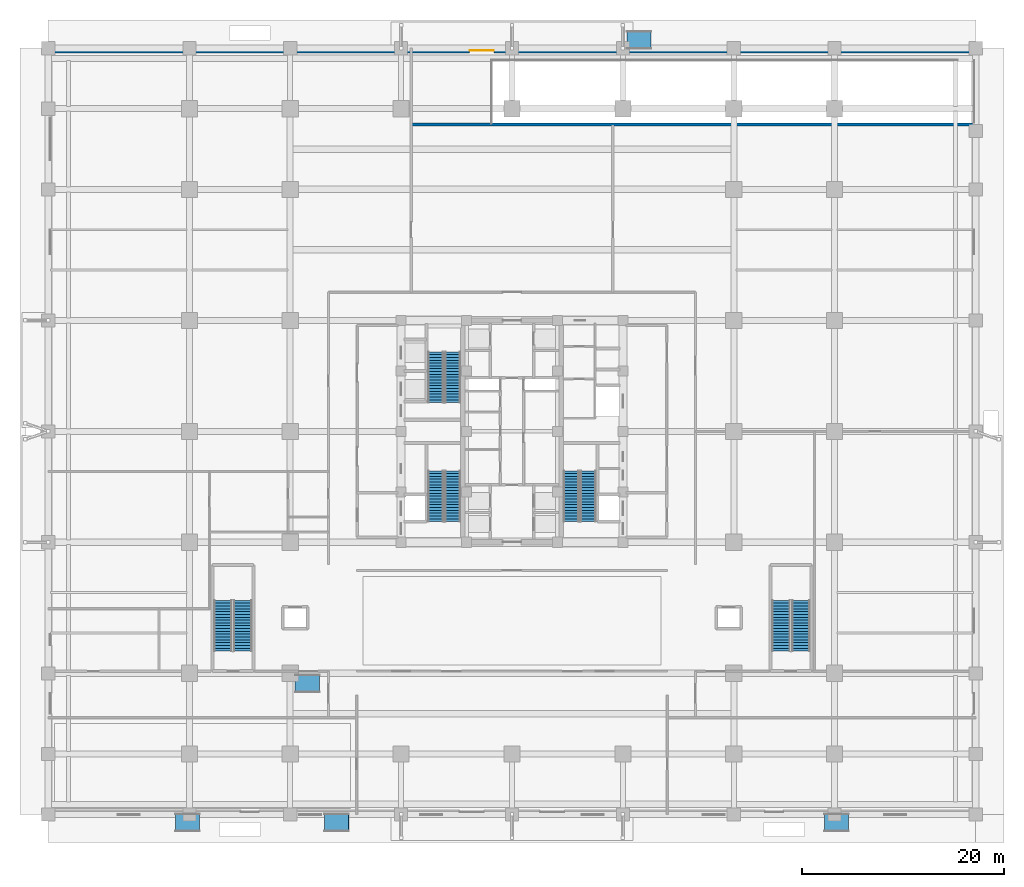
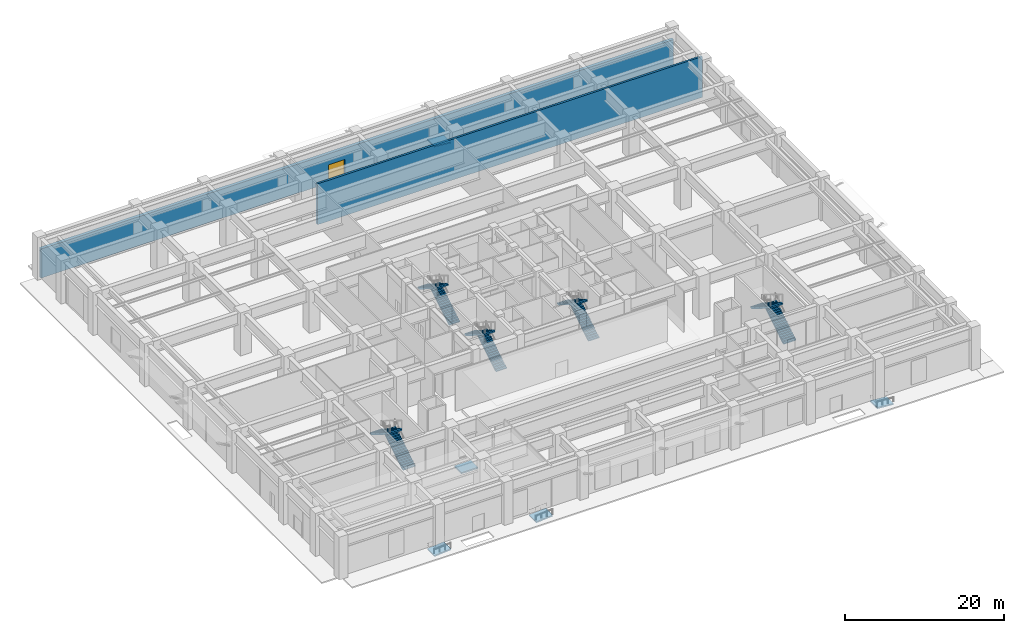
# One storey, part 13 of 21: 10 stair flights, 5 ramp flights, 2 walls, 1 door, 1 opening, 10 elements without a shape of their own.
"""IFC4 building model written with IfcOpenShell, lengths in metres."""

from ifc_helpers import new_model, si_unit, direction, frame, frame_2d, origin, place, context, subcontext, project, spatial, polyline, rectangle, outline, extrude, source, transform, mapped, material, layer, layer_set, type_object, element, fill, aggregate, save


model = new_model("IFC4")

# Units and contexts
model_context = context("Model", 3, precision=1e-05, world=origin(), true_north=direction((0.0, 1.0)))
body_context = subcontext(model_context, "Body", "Model", "MODEL_VIEW")
ifc_project = project(units=[si_unit("LENGTHUNIT", "METRE"), si_unit("AREAUNIT", "SQUARE_METRE"), si_unit("VOLUMEUNIT", "CUBIC_METRE"), si_unit("PLANEANGLEUNIT", "RADIAN"), si_unit("MASSUNIT", "GRAM", prefix="KILO")], contexts=[model_context])

# Site, building, storey
site_placement = place(None, origin())
site = spatial("IfcSite", under=ifc_project, at=site_placement, CompositionType="ELEMENT")
building_placement = place(site_placement, origin())
building = spatial("IfcBuilding", under=site, at=building_placement, Name="Khorayat Bourse Tower", CompositionType="ELEMENT")
storey_placement = place(building_placement, origin())
storey = spatial("IfcBuildingStorey", under=building, at=storey_placement, Name="L00", CompositionType="ELEMENT", Elevation=0.0)

# Wall, opening, door
ifc_material_1 = material(Name="Omani desert limestone masonry", Category="masonry")
ifc_layer_1 = layer(ifc_material_1, 0.449951171875)
ifc_layer_set_1 = layer_set([ifc_layer_1], Name="Omani desert limestone masonry")
wall_type_1 = type_object("IfcWallType", Name="WAL-EXT-IWAN-450", PredefinedType="STANDARD", material=ifc_layer_set_1)
shared_shape_1 = source(origin(), body_context, "Body", "SweptSolid", [
    extrude(rectangle(XDim=92.0, YDim=0.449951171875, at=frame_2d((46.0, 0.0))), origin(), (0.0, 0.0, 1.0), 4.47998046875),
])
wall_1_placement = place(storey_placement, frame((-46.0, 37.77490234375, 0.0), z_axis=(0.0, 0.0, 1.0), x_axis=(1.0, 0.0, 0.0)))
wall_1 = element("IfcWall", 1, at=wall_1_placement, inside=storey, type_object=wall_type_1, Name="L00 Exterior Limestone Wall WAL-L00-EXT-NF", PredefinedType="STANDARD", context=body_context, shape_type="MappedRepresentation", body=[
    mapped(shared_shape_1, transform((0.0, 0.0, 0.0), scale=1.0)),
])
shared_shape_2 = source(origin(), body_context, "Body", "SweptSolid", [
    extrude(rectangle(XDim=2.39990234375, YDim=2.800048828125, at=frame_2d((1.199951171875, 1.39990234375))), frame((0.0, 0.23486328125, 0.0), z_axis=(0.0, -1.0, 0.0), x_axis=(1.0, 0.0, 0.0)), (0.0, 0.0, 1.0), 0.469970703125),
])
opening_placement = place(wall_1_placement, frame((41.800048828125, 0.0, 0.0)))
opening = element("IfcOpeningElement", 2, at=opening_placement, cuts=wall_1, Name="Opening DE-01", PredefinedType="OPENING", context=body_context, shape_type="MappedRepresentation", body=[
    mapped(shared_shape_2, transform((0.0, 0.0, 0.0), scale=1.0)),
])
ifc_material_2 = material(Name="Anodised bronze aluminium and laminated glass", Category="aluminium")
door_type = type_object("IfcDoorType", Name="DR-EXT-IWAN-2400", OperationType="NOTDEFINED", PredefinedType="DOOR", material=ifc_material_2)
shared_shape_3 = source(origin(), body_context, "Body", "SweptSolid", [
    extrude(rectangle(XDim=2.39990234375, YDim=2.800048828125, at=frame_2d((1.199951171875, 1.39990234375))), frame((0.0, 0.02490234375, 0.0), z_axis=(0.0, -1.0, 0.0), x_axis=(1.0, 0.0, 0.0)), (0.0, 0.0, 1.0), 0.050048828125),
])
door_placement = place(opening_placement, origin())
door = element("IfcDoor", 3, at=door_placement, inside=storey, type_object=door_type, Name="L00 North Drop-Off Entrance Door", OperationType="DOUBLE_DOOR_SINGLE_SWING", OverallHeight=2.800048828125, OverallWidth=2.39990234375, PredefinedType="DOOR", context=body_context, shape_type="MappedRepresentation", body=[
    mapped(shared_shape_3, transform((0.0, 0.0, 0.0), scale=1.0)),
])
fill(opening, door)

# Wall
ifc_material_3 = material(Name="Concrete C50/60", Category="concrete")
ifc_layer_2 = layer(ifc_material_3, 0.300048828125)
ifc_layer_set_2 = layer_set([ifc_layer_2], Name="Concrete C50/60")
wall_type_2 = type_object("IfcWallType", Name="WAL-SHAFT-300", PredefinedType="SHEAR", material=ifc_layer_set_2)
shared_shape_4 = source(origin(), body_context, "Body", "SweptSolid", [
    extrude(rectangle(XDim=56.0, YDim=0.300048828125, at=frame_2d((28.0, 0.0))), origin(), (0.0, 0.0, 1.0), 6.280029296875),
])
wall_2_placement = place(storey_placement, frame((-10.0, 30.449951171875, 0.0), z_axis=(0.0, 0.0, 1.0), x_axis=(1.0, 0.0, 0.0)))
element("IfcWall", 4, at=wall_2_placement, inside=storey, type_object=wall_type_2, Name="L00 Partition WAL-L00-RAMP-S", PredefinedType="SHEAR", context=body_context, shape_type="MappedRepresentation", body=[
    mapped(shared_shape_4, transform((0.0, 0.0, 0.0), scale=1.0)),
])

# Stair, stair flights
ifc_material_4 = material(Name="Concrete C40/50", Category="concrete")
stair_type_1 = type_object("IfcStairType", Name="STR-CORE-1550", PredefinedType="HALF_TURN_STAIR", material=ifc_material_4)
stair_1_placement = place(storey_placement, origin())
stair_1 = element("IfcStair", 5, at=stair_1_placement, inside=storey, type_object=stair_type_1, Name="L00 Exit Stair ST-1", PredefinedType="HALF_TURN_STAIR")
stair_flight_type_1 = type_object("IfcStairFlightType", Name="FLT-CORE-1550", PredefinedType="STRAIGHT", material=ifc_material_4)
shared_shape_5 = source(origin(), body_context, "Body", "SweptSolid", [
    extrude(outline(polyline([(0.0, 0.0), (0.0, 0.173583984375), (0.280029296875, 0.173583984375), (0.280029296875, 0.347412109375), (0.56005859375, 0.347412109375), (0.56005859375, 0.52099609375), (0.840087890625, 0.52099609375), (0.840087890625, 0.69482421875), (1.1201171875, 0.69482421875), (1.1201171875, 0.868408203125), (1.39990234375, 0.868408203125), (1.39990234375, 1.0419921875), (1.679931640625, 1.0419921875), (1.679931640625, 1.2158203125), (1.9599609375, 1.2158203125), (1.9599609375, 1.389404296875), (2.239990234375, 1.389404296875), (2.239990234375, 1.563232421875), (2.52001953125, 1.563232421875), (2.52001953125, 1.73681640625), (2.800048828125, 1.73681640625), (2.800048828125, 1.91064453125), (3.080078125, 1.91064453125), (3.080078125, 2.084228515625), (3.360107421875, 2.084228515625), (3.360107421875, 2.2578125), (3.639892578125, 2.2578125), (3.639892578125, 2.431640625), (3.919921875, 2.431640625), (3.919921875, 2.605224609375), (4.199951171875, 2.605224609375), (4.199951171875, 2.779052734375), (4.47998046875, 2.779052734375), (4.47998046875, 2.95263671875), (4.760009765625, 2.95263671875), (4.760009765625, 3.126220703125), (5.0400390625, 3.126220703125), (5.0400390625, 3.300048828125), (5.0400390625, 2.91455078125), (0.34130859375, 0.0), (0.0, 0.0)])), frame((0.0, 0.77490234375, 0.0), z_axis=(0.0, -1.0, 0.0), x_axis=(1.0, 0.0, 0.0)), (0.0, 0.0, 1.0), 1.550048828125),
])
stair_flight_1_placement = place(storey_placement, frame((-5.875, -8.949951171875, 0.0), z_axis=(0.0, 0.0, 1.0), x_axis=(0.0, 1.0, 0.0)))
stair_flight_1 = element("IfcStairFlight", 6, at=stair_flight_1_placement, type_object=stair_flight_type_1, Name="ST-1 flight 1", NumberOfRisers=19, NumberOfTreads=18, PredefinedType="STRAIGHT", RiserHeight=0.173684211, TreadLength=0.28, context=body_context, shape_type="MappedRepresentation", body=[
    mapped(shared_shape_5, transform((0.0, 0.0, 0.0), scale=1.0)),
])
stair_flight_2_placement = place(storey_placement, frame((-7.574951171875, -3.909912109375, 3.300048828125), z_axis=(0.0, 0.0, 1.0), x_axis=(0.0, -1.0, 0.0)))
stair_flight_2 = element("IfcStairFlight", 7, at=stair_flight_2_placement, type_object=stair_flight_type_1, Name="ST-1 flight 2", NumberOfRisers=19, NumberOfTreads=18, PredefinedType="STRAIGHT", RiserHeight=0.173684211, TreadLength=0.28, context=body_context, shape_type="MappedRepresentation", body=[
    mapped(shared_shape_5, transform((0.0, 0.0, 0.0), scale=1.0)),
])
aggregate(stair_1, [stair_flight_1, stair_flight_2])

stair_2_placement = place(storey_placement, origin())
stair_2 = element("IfcStair", 8, at=stair_2_placement, inside=storey, type_object=stair_type_1, Name="L00 Exit Stair ST-2", PredefinedType="HALF_TURN_STAIR")
stair_flight_3_placement = place(storey_placement, frame((-5.875, 2.85009765625, 0.0), z_axis=(0.0, 0.0, 1.0), x_axis=(0.0, 1.0, 0.0)))
stair_flight_3 = element("IfcStairFlight", 9, at=stair_flight_3_placement, type_object=stair_flight_type_1, Name="ST-2 flight 1", NumberOfRisers=19, NumberOfTreads=18, PredefinedType="STRAIGHT", RiserHeight=0.173684211, TreadLength=0.28, context=body_context, shape_type="MappedRepresentation", body=[
    mapped(shared_shape_5, transform((0.0, 0.0, 0.0), scale=1.0)),
])
stair_flight_4_placement = place(storey_placement, frame((-7.574951171875, 7.889892578125, 3.300048828125), z_axis=(0.0, 0.0, 1.0), x_axis=(0.0, -1.0, 0.0)))
stair_flight_4 = element("IfcStairFlight", 10, at=stair_flight_4_placement, type_object=stair_flight_type_1, Name="ST-2 flight 2", NumberOfRisers=19, NumberOfTreads=18, PredefinedType="STRAIGHT", RiserHeight=0.173684211, TreadLength=0.28, context=body_context, shape_type="MappedRepresentation", body=[
    mapped(shared_shape_5, transform((0.0, 0.0, 0.0), scale=1.0)),
])
aggregate(stair_2, [stair_flight_3, stair_flight_4])

stair_3_placement = place(storey_placement, origin())
stair_3 = element("IfcStair", 11, at=stair_3_placement, inside=storey, type_object=stair_type_1, Name="L00 Exit Stair ST-3", PredefinedType="HALF_TURN_STAIR")
stair_flight_5_placement = place(storey_placement, frame((7.574951171875, -8.949951171875, 0.0), z_axis=(0.0, 0.0, 1.0), x_axis=(0.0, 1.0, 0.0)))
stair_flight_5 = element("IfcStairFlight", 12, at=stair_flight_5_placement, type_object=stair_flight_type_1, Name="ST-3 flight 1", NumberOfRisers=19, NumberOfTreads=18, PredefinedType="STRAIGHT", RiserHeight=0.173684211, TreadLength=0.28, context=body_context, shape_type="MappedRepresentation", body=[
    mapped(shared_shape_5, transform((0.0, 0.0, 0.0), scale=1.0)),
])
stair_flight_6_placement = place(storey_placement, frame((5.875, -3.909912109375, 3.300048828125), z_axis=(0.0, 0.0, 1.0), x_axis=(0.0, -1.0, 0.0)))
stair_flight_6 = element("IfcStairFlight", 13, at=stair_flight_6_placement, type_object=stair_flight_type_1, Name="ST-3 flight 2", NumberOfRisers=19, NumberOfTreads=18, PredefinedType="STRAIGHT", RiserHeight=0.173684211, TreadLength=0.28, context=body_context, shape_type="MappedRepresentation", body=[
    mapped(shared_shape_5, transform((0.0, 0.0, 0.0), scale=1.0)),
])
aggregate(stair_3, [stair_flight_5, stair_flight_6])

stair_type_2 = type_object("IfcStairType", Name="STR-POD-1800", PredefinedType="HALF_TURN_STAIR", material=ifc_material_4)
stair_4_placement = place(storey_placement, origin())
stair_4 = element("IfcStair", 14, at=stair_4_placement, inside=storey, type_object=stair_type_2, Name="L00 Exit Stair ST-P1", PredefinedType="HALF_TURN_STAIR")
stair_flight_type_2 = type_object("IfcStairFlightType", Name="FLT-POD-1800", PredefinedType="STRAIGHT", material=ifc_material_4)
shared_shape_6 = source(origin(), body_context, "Body", "SweptSolid", [
    extrude(outline(polyline([(0.0, 0.0), (0.0, 0.173583984375), (0.280029296875, 0.173583984375), (0.280029296875, 0.347412109375), (0.56005859375, 0.347412109375), (0.56005859375, 0.52099609375), (0.840087890625, 0.52099609375), (0.840087890625, 0.69482421875), (1.1201171875, 0.69482421875), (1.1201171875, 0.868408203125), (1.39990234375, 0.868408203125), (1.39990234375, 1.0419921875), (1.679931640625, 1.0419921875), (1.679931640625, 1.2158203125), (1.9599609375, 1.2158203125), (1.9599609375, 1.389404296875), (2.239990234375, 1.389404296875), (2.239990234375, 1.563232421875), (2.52001953125, 1.563232421875), (2.52001953125, 1.73681640625), (2.800048828125, 1.73681640625), (2.800048828125, 1.91064453125), (3.080078125, 1.91064453125), (3.080078125, 2.084228515625), (3.360107421875, 2.084228515625), (3.360107421875, 2.2578125), (3.639892578125, 2.2578125), (3.639892578125, 2.431640625), (3.919921875, 2.431640625), (3.919921875, 2.605224609375), (4.199951171875, 2.605224609375), (4.199951171875, 2.779052734375), (4.47998046875, 2.779052734375), (4.47998046875, 2.95263671875), (4.760009765625, 2.95263671875), (4.760009765625, 3.126220703125), (5.0400390625, 3.126220703125), (5.0400390625, 3.300048828125), (5.0400390625, 2.89111328125), (0.37939453125, 0.0), (0.0, 0.0)])), frame((0.0, 0.89990234375, 0.0), z_axis=(0.0, -1.0, 0.0), x_axis=(1.0, 0.0, 0.0)), (0.0, 0.0, 1.0), 1.800048828125),
])
stair_flight_7_placement = place(storey_placement, frame((-26.699951171875, -21.800048828125, 0.0), z_axis=(0.0, 0.0, 1.0), x_axis=(0.0, 1.0, 0.0)))
stair_flight_7 = element("IfcStairFlight", 15, at=stair_flight_7_placement, type_object=stair_flight_type_2, Name="ST-P1 flight 1", NumberOfRisers=19, NumberOfTreads=18, PredefinedType="STRAIGHT", RiserHeight=0.173684211, TreadLength=0.28, context=body_context, shape_type="MappedRepresentation", body=[
    mapped(shared_shape_6, transform((0.0, 0.0, 0.0), scale=1.0)),
])
stair_flight_8_placement = place(storey_placement, frame((-28.64990234375, -16.760009765625, 3.300048828125), z_axis=(0.0, 0.0, 1.0), x_axis=(0.0, -1.0, 0.0)))
stair_flight_8 = element("IfcStairFlight", 16, at=stair_flight_8_placement, type_object=stair_flight_type_2, Name="ST-P1 flight 2", NumberOfRisers=19, NumberOfTreads=18, PredefinedType="STRAIGHT", RiserHeight=0.173684211, TreadLength=0.28, context=body_context, shape_type="MappedRepresentation", body=[
    mapped(shared_shape_6, transform((0.0, 0.0, 0.0), scale=1.0)),
])
aggregate(stair_4, [stair_flight_7, stair_flight_8])

stair_5_placement = place(storey_placement, origin())
stair_5 = element("IfcStair", 17, at=stair_5_placement, inside=storey, type_object=stair_type_2, Name="L00 Exit Stair ST-P2", PredefinedType="HALF_TURN_STAIR")
stair_flight_9_placement = place(storey_placement, frame((28.64990234375, -21.800048828125, 0.0), z_axis=(0.0, 0.0, 1.0), x_axis=(0.0, 1.0, 0.0)))
stair_flight_9 = element("IfcStairFlight", 18, at=stair_flight_9_placement, type_object=stair_flight_type_2, Name="ST-P2 flight 1", NumberOfRisers=19, NumberOfTreads=18, PredefinedType="STRAIGHT", RiserHeight=0.173684211, TreadLength=0.28, context=body_context, shape_type="MappedRepresentation", body=[
    mapped(shared_shape_6, transform((0.0, 0.0, 0.0), scale=1.0)),
])
stair_flight_10_placement = place(storey_placement, frame((26.699951171875, -16.760009765625, 3.300048828125), z_axis=(0.0, 0.0, 1.0), x_axis=(0.0, -1.0, 0.0)))
stair_flight_10 = element("IfcStairFlight", 19, at=stair_flight_10_placement, type_object=stair_flight_type_2, Name="ST-P2 flight 2", NumberOfRisers=19, NumberOfTreads=18, PredefinedType="STRAIGHT", RiserHeight=0.173684211, TreadLength=0.28, context=body_context, shape_type="MappedRepresentation", body=[
    mapped(shared_shape_6, transform((0.0, 0.0, 0.0), scale=1.0)),
])
aggregate(stair_5, [stair_flight_9, stair_flight_10])

# Ramp, ramp flight
ramp_type = type_object("IfcRampType", Name="RMP-PED-1800", PredefinedType="STRAIGHT_RUN_RAMP", material=ifc_material_4)
ramp_1_placement = place(storey_placement, origin())
ramp_1 = element("IfcRamp", 20, at=ramp_1_placement, inside=storey, type_object=ramp_type, Name="South Forecourt Accessible Ramp", PredefinedType="STRAIGHT_RUN_RAMP")
ifc_layer_3 = layer(ifc_material_4, 0.199951171875)
ifc_layer_set_3 = layer_set([ifc_layer_3], Name="Concrete C40/50")
ramp_flight_type = type_object("IfcRampFlightType", Name="RFL-PED-1800", PredefinedType="STRAIGHT", material=ifc_layer_set_3)
ramp_flight_1_placement = place(storey_placement, frame((-18.60009765625, -39.699951171875, -0.199951171875), z_axis=(-0.083020312624, 0.0, 0.996547855194), x_axis=(0.996547855194, 0.0, 0.083020312624)))
ramp_flight_1 = element("IfcRampFlight", 21, at=ramp_flight_1_placement, type_object=ramp_flight_type, Name="South Forecourt Accessible Ramp Flight", PredefinedType="STRAIGHT", context=body_context, shape_type="SweptSolid", body=[
    extrude(outline(polyline([(0.0, 0.0), (2.4084608399539857, 0.0), (2.4084608399539857, 1.8000488281250004), (0.0, 1.8000488281250004), (0.0, 0.0)])), origin(), (0.0, 0.0, -1.0), 0.199951171875),
])
aggregate(ramp_1, [ramp_flight_1])

ramp_2_placement = place(storey_placement, origin())
ramp_2 = element("IfcRamp", 22, at=ramp_2_placement, inside=storey, type_object=ramp_type, Name="North Drop-Off Accessible Ramp", PredefinedType="STRAIGHT_RUN_RAMP")
ramp_flight_2_placement = place(storey_placement, frame((13.800048828125, 37.89990234375, -0.199951171875), z_axis=(0.083020312624, 0.0, 0.996547855194), x_axis=(-0.996547855194, 0.0, 0.083020312624)))
ramp_flight_2 = element("IfcRampFlight", 23, at=ramp_flight_2_placement, type_object=ramp_flight_type, Name="North Drop-Off Accessible Ramp Flight", PredefinedType="STRAIGHT", context=body_context, shape_type="SweptSolid", body=[
    extrude(outline(polyline([(0.0, 0.0), (2.4084608399539857, 0.0), (2.4084608399539857, -1.8000488281250004), (0.0, -1.8000488281250004), (0.0, 0.0)])), origin(), (0.0, 0.0, -1.0), 0.199951171875),
])
aggregate(ramp_2, [ramp_flight_2])

ramp_3_placement = place(storey_placement, origin())
ramp_3 = element("IfcRamp", 24, at=ramp_3_placement, inside=storey, type_object=ramp_type, Name="West Retail Forecourt Accessible Ramp", PredefinedType="STRAIGHT_RUN_RAMP")
ramp_flight_3_placement = place(storey_placement, frame((-33.39990234375, -39.699951171875, -0.199951171875), z_axis=(-0.083028700011, 0.0, 0.996547156423), x_axis=(0.996547156423, 0.0, 0.083028700011)))
ramp_flight_3 = element("IfcRampFlight", 25, at=ramp_flight_3_placement, type_object=ramp_flight_type, Name="West Retail Forecourt Accessible Ramp Flight", PredefinedType="STRAIGHT", context=body_context, shape_type="SweptSolid", body=[
    extrude(outline(polyline([(0.0, 0.0), (2.408217542223071, 0.0), (2.408217542223071, 1.800048828125), (0.0, 1.800048828125), (0.0, 0.0)])), origin(), (0.0, 0.0, -1.0), 0.199951171875),
])
aggregate(ramp_3, [ramp_flight_3])

ramp_4_placement = place(storey_placement, origin())
ramp_4 = element("IfcRamp", 26, at=ramp_4_placement, inside=storey, type_object=ramp_type, Name="East Retail Forecourt Accessible Ramp", PredefinedType="STRAIGHT_RUN_RAMP")
ramp_flight_4_placement = place(storey_placement, frame((33.39990234375, -39.699951171875, -0.199951171875), z_axis=(0.083028700011, 0.0, 0.996547156423), x_axis=(-0.996547156423, 0.0, 0.083028700011)))
ramp_flight_4 = element("IfcRampFlight", 27, at=ramp_flight_4_placement, type_object=ramp_flight_type, Name="East Retail Forecourt Accessible Ramp Flight", PredefinedType="STRAIGHT", context=body_context, shape_type="SweptSolid", body=[
    extrude(outline(polyline([(0.0, 0.0), (2.408217542223071, 0.0), (2.408217542223071, -1.800048828125), (0.0, -1.800048828125), (0.0, 0.0)])), origin(), (0.0, 0.0, -1.0), 0.199951171875),
])
aggregate(ramp_4, [ramp_flight_4])

ramp_5_placement = place(storey_placement, origin())
ramp_5 = element("IfcRamp", 28, at=ramp_5_placement, inside=storey, type_object=ramp_type, Name="Ground Concourse Threshold Ramp", PredefinedType="STRAIGHT_RUN_RAMP")
ramp_flight_5_placement = place(storey_placement, frame((-21.5, -25.89990234375, 0.0), z_axis=(0.0, 0.0, 1.0), x_axis=(1.0, 0.0, 0.0)))
ramp_flight_5 = element("IfcRampFlight", 29, at=ramp_flight_5_placement, type_object=ramp_flight_type, Name="Ground Concourse Threshold Ramp Flight", PredefinedType="STRAIGHT", context=body_context, shape_type="SweptSolid", body=[
    extrude(outline(polyline([(0.0, 0.0), (2.39990234375, 0.0), (2.39990234375, 1.7998046875), (0.0, 1.7998046875), (0.0, 0.0)])), origin(), (0.0, 0.0, -1.0), 0.199951171875),
])
aggregate(ramp_5, [ramp_flight_5])

save(model, "model.ifc")
